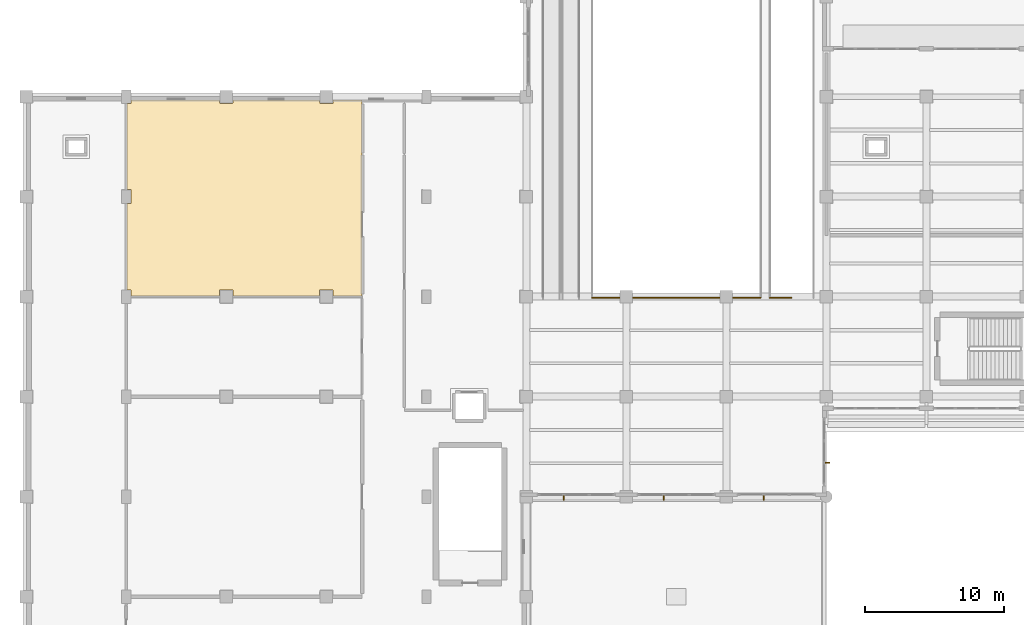
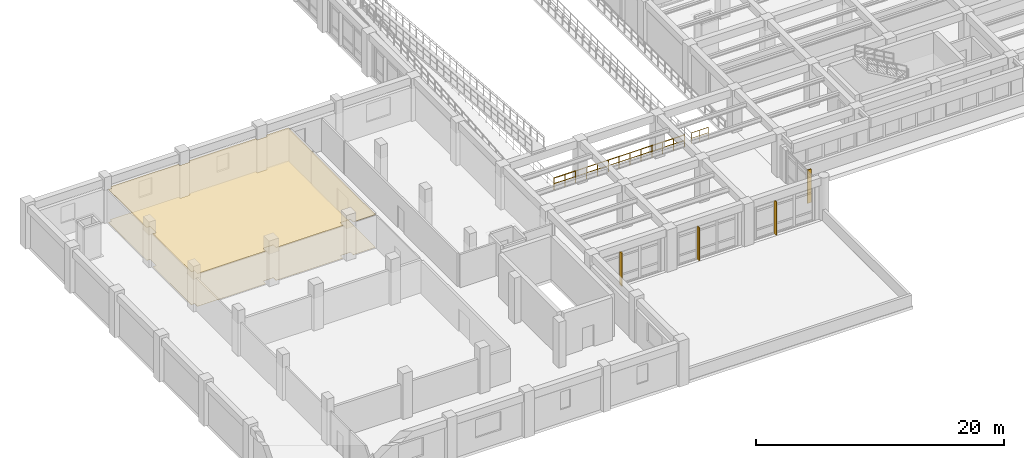
# One storey, part 58 of 69: 4 shading devices, 2 coverings, 2 railings.
"""IFC4 building model written with IfcOpenShell, lengths in metres."""

from ifc_helpers import new_model, si_unit, direction, frame, origin, origin_2d, place, context, subcontext, project, spatial, polyline, rectangle, circle, outline, extrude, material, layer, layer_set, material_profile, profile_set, type_object, element, save


model = new_model("IFC4")

# Units and contexts
model_context = context("Model", 3, precision=1e-05, world=origin(), true_north=direction((0.0, 1.0)))
body_context = subcontext(model_context, "Body", "Model", "MODEL_VIEW")
ifc_project = project(units=[si_unit("LENGTHUNIT", "METRE"), si_unit("AREAUNIT", "SQUARE_METRE"), si_unit("VOLUMEUNIT", "CUBIC_METRE"), si_unit("PLANEANGLEUNIT", "RADIAN"), si_unit("MASSUNIT", "GRAM", prefix="KILO")], contexts=[model_context])

# Site, building, storey
site_placement = place(None, origin())
site = spatial("IfcSite", under=ifc_project, at=site_placement, CompositionType="ELEMENT")
building_placement = place(site_placement, origin())
building = spatial("IfcBuilding", under=site, at=building_placement, Name="Solenvale Faculty of Natural Sciences", CompositionType="ELEMENT")
storey_placement = place(building_placement, frame((0.0, 0.0, 4.5)))
storey = spatial("IfcBuildingStorey", under=building, at=storey_placement, Name="L01", CompositionType="ELEMENT", Elevation=4.5)

# Coverings
ifc_material_1 = material(Name="Oak slatted acoustic timber ceiling", Category="wood")
ifc_layer_1 = layer(ifc_material_1, 0.034912109375)
ifc_layer_set_1 = layer_set([ifc_layer_1], Name="Oak slatted acoustic timber ceiling")
covering_type_1 = type_object("IfcCoveringType", Name="COV-CEIL-WD35", PredefinedType="CEILING", material=ifc_layer_set_1)
covering_1_placement = place(storey_placement, frame((0.0, 0.0, 3.22509765625)))
element("IfcCovering", 1, at=covering_1_placement, inside=storey, type_object=covering_type_1, Name="L01 Lecture Theatre Acoustic Ceiling", PredefinedType="CEILING", context=body_context, shape_type="SweptSolid", body=[
    extrude(outline(polyline([(24.179931640625, 39.049072265625), (24.159912109375, 39.0), (24.159912109375, 28.8701171875), (24.14404296875, 28.843994140625), (22.10205078125, 28.840087890625), (22.074951171875, 28.866943359375), (22.069091796875, 29.27392578125), (21.135986328125, 29.27490234375), (21.125, 29.263916015625), (21.125, 28.866943359375), (21.097900390625, 28.840087890625), (14.905029296875, 28.840087890625), (14.875, 28.866943359375), (14.868896484375, 29.27392578125), (13.93603515625, 29.27490234375), (13.925048828125, 29.263916015625), (13.925048828125, 28.866943359375), (13.89794921875, 28.840087890625), (7.580078125, 28.840087890625), (7.550048828125, 28.866943359375), (7.548095703125, 29.2958984375), (7.26708984375, 29.300048828125), (7.243896484375, 29.31591796875), (7.239990234375, 35.469970703125), (7.26708984375, 35.5), (7.550048828125, 35.507080078125), (7.550048828125, 36.489013671875), (7.5390625, 36.5), (7.26708984375, 36.5), (7.239990234375, 36.527099609375), (7.239990234375, 42.669921875), (7.26708984375, 42.699951171875), (7.5458984375, 42.701904296875), (7.550048828125, 42.93310546875), (7.56591796875, 42.9560546875), (13.89501953125, 42.9599609375), (13.924072265625, 42.93603515625), (13.93310546875, 42.72509765625), (14.864013671875, 42.72509765625), (14.875, 42.73388671875), (14.8759765625, 42.93603515625), (14.905029296875, 42.9599609375), (21.094970703125, 42.9599609375), (21.1240234375, 42.93603515625), (21.133056640625, 42.72509765625), (22.06396484375, 42.72509765625), (22.074951171875, 42.73388671875), (22.075927734375, 42.93603515625), (22.10205078125, 42.9599609375), (24.156005859375, 42.958984375), (24.179931640625, 42.929931640625), (24.179931640625, 39.049072265625)])), origin(), (0.0, 0.0, 1.0), 0.034912109375),
])
ifc_material_2 = material(Name="Polished slate terrazzo flooring", Category="masonry")
ifc_layer_2 = layer(ifc_material_2, 0.01806640625)
ifc_layer_set_2 = layer_set([ifc_layer_2], Name="Polished slate terrazzo flooring")
covering_type_2 = type_object("IfcCoveringType", Name="COV-FLR-TRZ18", PredefinedType="FLOORING", material=ifc_layer_set_2)
covering_2_placement = place(storey_placement, origin())
element("IfcCovering", 2, at=covering_2_placement, inside=storey, type_object=covering_type_2, Name="L01 Lecture Theatre Floor Finish", PredefinedType="FLOORING", context=body_context, shape_type="SweptSolid", body=[
    extrude(outline(polyline([(24.179931640625, 39.049072265625), (24.159912109375, 39.0), (24.159912109375, 28.8701171875), (24.14404296875, 28.843994140625), (22.10205078125, 28.840087890625), (22.074951171875, 28.866943359375), (22.069091796875, 29.27392578125), (21.135986328125, 29.27490234375), (21.125, 29.263916015625), (21.125, 28.866943359375), (21.097900390625, 28.840087890625), (14.905029296875, 28.840087890625), (14.875, 28.866943359375), (14.868896484375, 29.27392578125), (13.93603515625, 29.27490234375), (13.925048828125, 29.263916015625), (13.925048828125, 28.866943359375), (13.89794921875, 28.840087890625), (7.580078125, 28.840087890625), (7.550048828125, 28.866943359375), (7.548095703125, 29.2958984375), (7.26708984375, 29.300048828125), (7.243896484375, 29.31591796875), (7.239990234375, 35.469970703125), (7.26708984375, 35.5), (7.550048828125, 35.507080078125), (7.550048828125, 36.489013671875), (7.5390625, 36.5), (7.26708984375, 36.5), (7.239990234375, 36.527099609375), (7.239990234375, 42.669921875), (7.26708984375, 42.699951171875), (7.5458984375, 42.701904296875), (7.550048828125, 42.93310546875), (7.56591796875, 42.9560546875), (13.89501953125, 42.9599609375), (13.924072265625, 42.93603515625), (13.93310546875, 42.72509765625), (14.864013671875, 42.72509765625), (14.875, 42.73388671875), (14.8759765625, 42.93603515625), (14.905029296875, 42.9599609375), (21.094970703125, 42.9599609375), (21.1240234375, 42.93603515625), (21.133056640625, 42.72509765625), (22.06396484375, 42.72509765625), (22.074951171875, 42.73388671875), (22.075927734375, 42.93603515625), (22.10205078125, 42.9599609375), (24.156005859375, 42.958984375), (24.179931640625, 42.929931640625), (24.179931640625, 39.049072265625)])), origin(), (0.0, 0.0, 1.0), 0.01806640625),
])

# Railings
ifc_material_3 = material(Name="Stainless steel Grade 304", Category="steel")
railing_type_1 = type_object("IfcRailingType", Name="RL-GRD-1100", PredefinedType="GUARDRAIL", material=ifc_material_3)
railing_1_placement = place(storey_placement, frame((53.52001953125, 28.719970703125, 0.0)))
element("IfcRailing", 3, at=railing_1_placement, inside=storey, type_object=railing_type_1, Name="L01 Ramp Opening Guardrail S", PredefinedType="GUARDRAIL", context=body_context, shape_type="SweptSolid", body=[
    extrude(circle(Radius=0.02392578125, at=origin_2d()), frame((0.0, 0.0, 1.09619140625), z_axis=(1.0, 0.0, 0.0), x_axis=(0.0, 1.0, 0.0)), (0.0, 0.0, 1.0), 1.580078125),
    extrude(circle(Radius=0.01611328125, at=origin_2d()), frame((0.0, 0.0, 0.56005859375), z_axis=(1.0, 0.0, 0.0), x_axis=(0.0, 1.0, 0.0)), (0.0, 0.0, 1.0), 1.580078125),
    extrude(circle(Radius=0.02099609375, at=origin_2d()), origin(), (0.0, 0.0, 1.0), 1.072021484375),
    extrude(circle(Radius=0.02099609375, at=origin_2d()), frame((0.7900390625, 0.0, 0.0)), (0.0, 0.0, 1.0), 1.072021484375),
    extrude(circle(Radius=0.02099609375, at=origin_2d()), frame((1.580078125, 0.0, 0.0)), (0.0, 0.0, 1.0), 1.072021484375),
])
railing_type_2 = type_object("IfcRailingType", Name="RL-GRD-ATR-1150", PredefinedType="GUARDRAIL", material=ifc_material_3)
railing_2_placement = place(storey_placement, frame((40.719970703125, 28.719970703125, 0.0)))
element("IfcRailing", 4, at=railing_2_placement, inside=storey, type_object=railing_type_2, Name="L01 Atrium Gallery Guardrail S", PredefinedType="GUARDRAIL", context=body_context, shape_type="SweptSolid", body=[
    extrude(circle(Radius=0.02392578125, at=origin_2d()), frame((0.0, 0.0, 1.1357421875), z_axis=(1.0, 0.0, 0.0), x_axis=(0.0, 1.0, 0.0)), (0.0, 0.0, 1.0), 12.159912109375),
    extrude(circle(Radius=0.01611328125, at=origin_2d()), frame((0.0, 0.0, 0.580078125), z_axis=(1.0, 0.0, 0.0), x_axis=(0.0, 1.0, 0.0)), (0.0, 0.0, 1.0), 12.159912109375),
    extrude(circle(Radius=0.02099609375, at=origin_2d()), origin(), (0.0, 0.0, 1.0), 1.11181640625),
    extrude(circle(Radius=0.02099609375, at=origin_2d()), frame((1.013427734375, 0.0, 0.0)), (0.0, 0.0, 1.0), 1.11181640625),
    extrude(circle(Radius=0.02099609375, at=origin_2d()), frame((2.026611328125, 0.0, 0.0)), (0.0, 0.0, 1.0), 1.11181640625),
    extrude(circle(Radius=0.02099609375, at=origin_2d()), frame((3.0400390625, 0.0, 0.0)), (0.0, 0.0, 1.0), 1.11181640625),
    extrude(circle(Radius=0.02099609375, at=origin_2d()), frame((4.05322265625, 0.0, 0.0)), (0.0, 0.0, 1.0), 1.11181640625),
    extrude(circle(Radius=0.02099609375, at=origin_2d()), frame((5.066650390625, 0.0, 0.0)), (0.0, 0.0, 1.0), 1.11181640625),
    extrude(circle(Radius=0.02099609375, at=origin_2d()), frame((6.080078125, 0.0, 0.0)), (0.0, 0.0, 1.0), 1.11181640625),
    extrude(circle(Radius=0.02099609375, at=origin_2d()), frame((7.09326171875, 0.0, 0.0)), (0.0, 0.0, 1.0), 1.11181640625),
    extrude(circle(Radius=0.02099609375, at=origin_2d()), frame((8.106689453125, 0.0, 0.0)), (0.0, 0.0, 1.0), 1.11181640625),
    extrude(circle(Radius=0.02099609375, at=origin_2d()), frame((9.119873046875, 0.0, 0.0)), (0.0, 0.0, 1.0), 1.11181640625),
    extrude(circle(Radius=0.02099609375, at=origin_2d()), frame((10.13330078125, 0.0, 0.0)), (0.0, 0.0, 1.0), 1.11181640625),
    extrude(circle(Radius=0.02099609375, at=origin_2d()), frame((11.146484375, 0.0, 0.0)), (0.0, 0.0, 1.0), 1.11181640625),
    extrude(circle(Radius=0.02099609375, at=origin_2d()), frame((12.159912109375, 0.0, 0.0)), (0.0, 0.0, 1.0), 1.11181640625),
])

# Shading devices
ifc_material_4 = material(Name="Anodised bronze aluminium", Category="aluminium")
ifc_material_profile = material_profile(ifc_material_4, rectangle(XDim=0.080078125, YDim=0.360107421875, at=origin_2d()), Name="ALU-FIN-80x360")
ifc_profile_set = profile_set([ifc_material_profile], Name="Anodised bronze aluminium")
shading_device_type = type_object("IfcShadingDeviceType", Name="SHD-FIN-360", PredefinedType="JALOUSIE", material=ifc_profile_set)
for number, where, z_axis, x_axis, name in (
    (5, (38.683349609375, 14.340087890625, -0.02001953125), (0.0, 0.0, 1.0), (1.0, 0.0, 0.0), "L01 Vertical Brise-Soleil Fin 3.1"),
    (6, (45.88330078125, 14.340087890625, -0.02001953125), (0.0, 0.0, 1.0), (1.0, 0.0, 0.0), "L01 Vertical Brise-Soleil Fin 3.2"),
    (7, (53.083251953125, 14.340087890625, -0.02001953125), (0.0, 0.0, 1.0), (1.0, 0.0, 0.0), "L01 Vertical Brise-Soleil Fin 3.3"),
    (8, (57.659912109375, 16.840087890625, -0.02001953125), (0.0, 0.0, 1.0), (0.0, 1.0, 0.0), "L01 Vertical Brise-Soleil Fin 4.1"),
):
    element("IfcShadingDevice", number, at=place(storey_placement, frame(where, z_axis=z_axis, x_axis=x_axis)), inside=storey, type_object=shading_device_type, Name=name, PredefinedType="JALOUSIE", context=body_context, shape_type="SweptSolid", body=[
        extrude(rectangle(XDim=0.080078125, YDim=0.360107421875, at=origin_2d()), origin(), (0.0, 0.0, 1.0), 3.280029296875),
    ])

save(model, "model.ifc")
